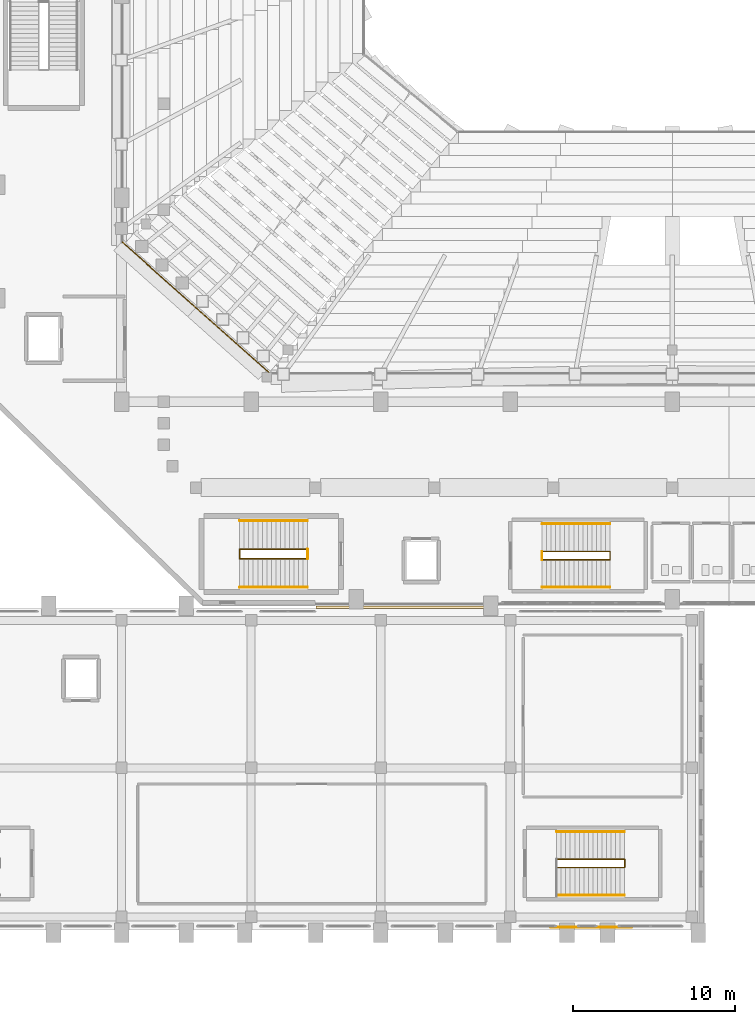
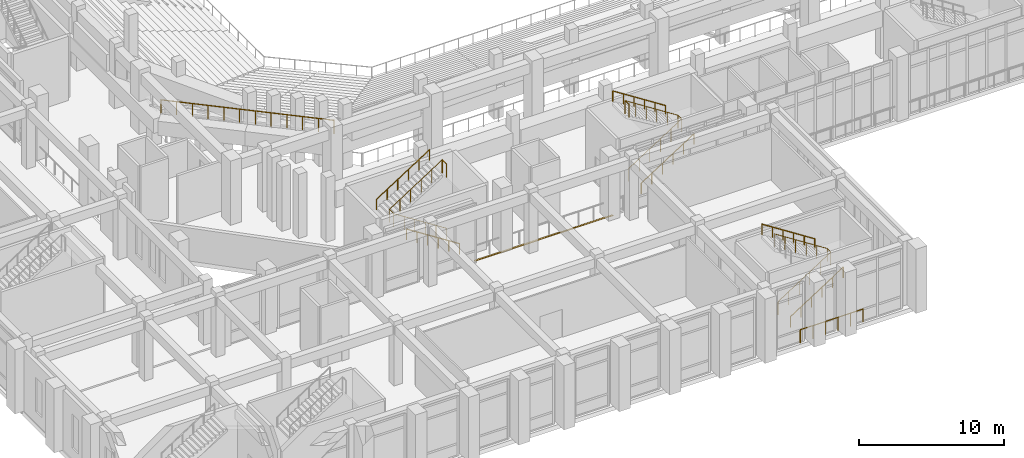
# One storey, part 145 of 159: 13 railings, 1 covering.
"""IFC4 building model written with IfcOpenShell, lengths in metres."""

from ifc_helpers import new_model, si_unit, derived_unit, direction, frame, origin, origin_2d, place, context, subcontext, project, spatial, polyline, circle, outline, extrude, material, layer, layer_set, type_object, element, save


model = new_model("IFC4")

# Units and contexts
model_context = context("Model", 3, precision=1e-05, world=origin(), true_north=direction((0.0, 1.0)))
body_context = subcontext(model_context, "Body", "Model", "MODEL_VIEW")
ifc_project = project(units=[si_unit("LENGTHUNIT", "METRE"), si_unit("AREAUNIT", "SQUARE_METRE"), si_unit("VOLUMEUNIT", "CUBIC_METRE"), si_unit("PLANEANGLEUNIT", "RADIAN"), si_unit("MASSUNIT", "GRAM", prefix="KILO"), derived_unit("THERMALTRANSMITTANCEUNIT", [(si_unit("MASSUNIT", "GRAM", prefix="KILO"), 1), (si_unit("TIMEUNIT", "SECOND"), -3), (si_unit("THERMODYNAMICTEMPERATUREUNIT", "KELVIN"), -1)])], contexts=[model_context])

# Site, building, storey
site_placement = place(None, origin())
site = spatial("IfcSite", under=ifc_project, at=site_placement, CompositionType="ELEMENT")
building_placement = place(site_placement, origin())
building = spatial("IfcBuilding", under=site, at=building_placement, Name="Valcora Ridge Arena", CompositionType="ELEMENT")
storey_placement = place(building_placement, frame((0.0, 0.0, 6.0)))
storey = spatial("IfcBuildingStorey", under=building, at=storey_placement, Name="L01", CompositionType="ELEMENT", Elevation=6.0)

# Covering
ifc_material_1 = material(Name="Steel ASTM A572 Grade 50", Category="steel")
ifc_layer = layer(ifc_material_1, 0.02001953125, Name="Steel ASTM A572 Grade 50")
ifc_layer_set = layer_set([ifc_layer], Name="Steel ASTM A572 Grade 50")
covering_type = type_object("IfcCoveringType", Name="TY-COVERING-COV-SJ-150", PredefinedType="FLOORING", material=ifc_layer_set)
covering_placement = place(storey_placement, frame((0.0, 0.0, -0.02001953125)))
element("IfcCovering", 1, at=covering_placement, inside=storey, type_object=covering_type, Name="COV-SJ-150 COV-SJ-0011", PredefinedType="FLOORING", context=body_context, shape_type="SweptSolid", body=[
    extrude(outline(polyline([(36.0, 19.85009765625), (47.0, 19.85009765625), (47.0, 20.0), (36.0, 20.0), (36.0, 19.85009765625)])), origin(), (0.0, 0.0, 1.0), 0.02001953125),
])

# Railings
ifc_material_2 = material(Name="Galvanized painted steel ASTM A500 Grade B", Category="steel")
railing_type_1 = type_object("IfcRailingType", Name="TY-RAILING-GRD-STAIR-1120", PredefinedType="GUARDRAIL", material=ifc_material_2)
railing_1_placement = place(storey_placement, frame((35.489990234375, 22.89990234375, 0.0)))
element("IfcRailing", 2, at=railing_1_placement, inside=storey, type_object=railing_type_1, Name="GRD-STAIR-1120 RAL-SG-0005", PredefinedType="GUARDRAIL", context=body_context, shape_type="SweptSolid", body=[
    extrude(circle(Radius=0.02392578125, at=origin_2d()), frame((0.0, 0.0, 1.09619140625), z_axis=(-0.841180064094, 0.0, 0.540755119968), x_axis=(0.0, -1.0, 0.0)), (0.0, 0.0, 1.0), 4.992919921875),
    extrude(circle(Radius=0.02392578125, at=origin_2d()), frame((-4.199951171875, 0.0, 3.7958984375), z_axis=(0.0, 1.0, 0.0), x_axis=(-1.0, 0.0, 0.0)), (0.0, 0.0, 1.0), 0.60009765625),
    extrude(circle(Radius=0.02392578125, at=origin_2d()), frame((-4.199951171875, 0.60009765625, 3.7958984375), z_axis=(0.841180064094, 0.0, 0.540755119968), x_axis=(0.0, 1.0, 0.0)), (0.0, 0.0, 1.0), 4.992919921875),
    extrude(circle(Radius=0.02099609375, at=origin_2d()), origin(), (0.0, 0.0, 1.0), 1.072021484375),
    extrude(circle(Radius=0.02099609375, at=origin_2d()), frame((-0.840087890625, 0.0, 0.5400390625)), (0.0, 0.0, 1.0), 1.072021484375),
    extrude(circle(Radius=0.02099609375, at=origin_2d()), frame((-1.679931640625, 0.0, 1.080078125)), (0.0, 0.0, 1.0), 1.072021484375),
    extrude(circle(Radius=0.02099609375, at=origin_2d()), frame((-2.52001953125, 0.0, 1.619873046875)), (0.0, 0.0, 1.0), 1.072021484375),
    extrude(circle(Radius=0.02099609375, at=origin_2d()), frame((-3.35986328125, 0.0, 2.159912109375)), (0.0, 0.0, 1.0), 1.072021484375),
    extrude(circle(Radius=0.02099609375, at=origin_2d()), frame((-4.199951171875, 0.0, 2.699951171875)), (0.0, 0.0, 1.0), 1.072021484375),
    extrude(circle(Radius=0.02099609375, at=origin_2d()), frame((-4.199951171875, 0.60009765625, 2.699951171875)), (0.0, 0.0, 1.0), 1.072021484375),
    extrude(circle(Radius=0.02099609375, at=origin_2d()), frame((-3.35986328125, 0.60009765625, 3.239990234375)), (0.0, 0.0, 1.0), 1.072021484375),
    extrude(circle(Radius=0.02099609375, at=origin_2d()), frame((-2.52001953125, 0.60009765625, 3.780029296875)), (0.0, 0.0, 1.0), 1.072021484375),
    extrude(circle(Radius=0.02099609375, at=origin_2d()), frame((-1.679931640625, 0.60009765625, 4.31982421875)), (0.0, 0.0, 1.0), 1.072021484375),
    extrude(circle(Radius=0.02099609375, at=origin_2d()), frame((-0.840087890625, 0.60009765625, 4.85986328125)), (0.0, 0.0, 1.0), 1.072021484375),
    extrude(circle(Radius=0.02099609375, at=origin_2d()), frame((0.0, 0.60009765625, 5.39990234375)), (0.0, 0.0, 1.0), 1.072021484375),
])
railing_2_placement = place(storey_placement, frame((35.489990234375, 22.89990234375, 5.39990234375)))
element("IfcRailing", 3, at=railing_2_placement, inside=storey, type_object=railing_type_1, Name="GRD-STAIR-1120 RAL-SG-0006", PredefinedType="GUARDRAIL", context=body_context, shape_type="SweptSolid", body=[
    extrude(circle(Radius=0.02392578125, at=origin_2d()), frame((0.0, 0.0, 1.09619140625), z_axis=(0.0, 1.0, 0.0), x_axis=(-1.0, 0.0, 0.0)), (0.0, 0.0, 1.0), 0.60009765625),
    extrude(circle(Radius=0.02099609375, at=origin_2d()), origin(), (0.0, 0.0, 1.0), 1.072021484375),
    extrude(circle(Radius=0.02099609375, at=origin_2d()), frame((0.0, 0.60009765625, 0.0)), (0.0, 0.0, 1.0), 1.072021484375),
])
railing_3_placement = place(storey_placement, frame((49.9599609375, 22.85009765625, 0.0)))
element("IfcRailing", 4, at=railing_3_placement, inside=storey, type_object=railing_type_1, Name="GRD-STAIR-1120 RAL-SG-0099", PredefinedType="GUARDRAIL", context=body_context, shape_type="SweptSolid", body=[
    extrude(circle(Radius=0.02392578125, at=origin_2d()), frame((0.0, 0.0, 1.09619140625), z_axis=(0.841180064094, 0.0, 0.540755119968), x_axis=(0.0, 1.0, 0.0)), (0.0, 0.0, 1.0), 4.992919921875),
    extrude(circle(Radius=0.02392578125, at=origin_2d()), frame((4.199951171875, 0.0, 3.7958984375), z_axis=(0.0, 1.0, 0.0), x_axis=(-1.0, 0.0, 0.0)), (0.0, 0.0, 1.0), 0.5),
    extrude(circle(Radius=0.02392578125, at=origin_2d()), frame((4.199951171875, 0.5, 3.7958984375), z_axis=(-0.841180064094, 0.0, 0.540755119968), x_axis=(0.0, -1.0, 0.0)), (0.0, 0.0, 1.0), 4.992919921875),
    extrude(circle(Radius=0.02099609375, at=origin_2d()), origin(), (0.0, 0.0, 1.0), 1.072021484375),
    extrude(circle(Radius=0.02099609375, at=origin_2d()), frame((0.840087890625, 0.0, 0.5400390625)), (0.0, 0.0, 1.0), 1.072021484375),
    extrude(circle(Radius=0.02099609375, at=origin_2d()), frame((1.679931640625, 0.0, 1.080078125)), (0.0, 0.0, 1.0), 1.072021484375),
    extrude(circle(Radius=0.02099609375, at=origin_2d()), frame((2.52001953125, 0.0, 1.619873046875)), (0.0, 0.0, 1.0), 1.072021484375),
    extrude(circle(Radius=0.02099609375, at=origin_2d()), frame((3.35986328125, 0.0, 2.159912109375)), (0.0, 0.0, 1.0), 1.072021484375),
    extrude(circle(Radius=0.02099609375, at=origin_2d()), frame((4.199951171875, 0.0, 2.699951171875)), (0.0, 0.0, 1.0), 1.072021484375),
    extrude(circle(Radius=0.02099609375, at=origin_2d()), frame((4.199951171875, 0.5, 2.699951171875)), (0.0, 0.0, 1.0), 1.072021484375),
    extrude(circle(Radius=0.02099609375, at=origin_2d()), frame((3.35986328125, 0.5, 3.239990234375)), (0.0, 0.0, 1.0), 1.072021484375),
    extrude(circle(Radius=0.02099609375, at=origin_2d()), frame((2.52001953125, 0.5, 3.780029296875)), (0.0, 0.0, 1.0), 1.072021484375),
    extrude(circle(Radius=0.02099609375, at=origin_2d()), frame((1.679931640625, 0.5, 4.31982421875)), (0.0, 0.0, 1.0), 1.072021484375),
    extrude(circle(Radius=0.02099609375, at=origin_2d()), frame((0.840087890625, 0.5, 4.85986328125)), (0.0, 0.0, 1.0), 1.072021484375),
    extrude(circle(Radius=0.02099609375, at=origin_2d()), frame((0.0, 0.5, 5.39990234375)), (0.0, 0.0, 1.0), 1.072021484375),
])
railing_4_placement = place(storey_placement, frame((49.9599609375, 22.85009765625, 5.39990234375)))
element("IfcRailing", 5, at=railing_4_placement, inside=storey, type_object=railing_type_1, Name="GRD-STAIR-1120 RAL-SG-0100", PredefinedType="GUARDRAIL", context=body_context, shape_type="SweptSolid", body=[
    extrude(circle(Radius=0.02392578125, at=origin_2d()), frame((0.0, 0.0, 1.09619140625), z_axis=(0.0, 1.0, 0.0), x_axis=(-1.0, 0.0, 0.0)), (0.0, 0.0, 1.0), 0.5),
    extrude(circle(Radius=0.02099609375, at=origin_2d()), origin(), (0.0, 0.0, 1.0), 1.072021484375),
    extrude(circle(Radius=0.02099609375, at=origin_2d()), frame((0.0, 0.5, 0.0)), (0.0, 0.0, 1.0), 1.072021484375),
])
railing_5_placement = place(storey_placement, frame((50.860107421875, 3.85009765625, 0.0)))
element("IfcRailing", 6, at=railing_5_placement, inside=storey, type_object=railing_type_1, Name="GRD-STAIR-1120 RAL-SG-0139", PredefinedType="GUARDRAIL", context=body_context, shape_type="SweptSolid", body=[
    extrude(circle(Radius=0.02392578125, at=origin_2d()), frame((0.0, 0.0, 1.09619140625), z_axis=(0.841180064094, 0.0, 0.540755119968), x_axis=(0.0, 1.0, 0.0)), (0.0, 0.0, 1.0), 4.992919921875),
    extrude(circle(Radius=0.02392578125, at=origin_2d()), frame((4.199951171875, 0.0, 3.7958984375), z_axis=(0.0, 1.0, 0.0), x_axis=(-1.0, 0.0, 0.0)), (0.0, 0.0, 1.0), 0.5),
    extrude(circle(Radius=0.02392578125, at=origin_2d()), frame((4.199951171875, 0.5, 3.7958984375), z_axis=(-0.841180064094, 0.0, 0.540755119968), x_axis=(0.0, -1.0, 0.0)), (0.0, 0.0, 1.0), 4.992919921875),
    extrude(circle(Radius=0.02099609375, at=origin_2d()), origin(), (0.0, 0.0, 1.0), 1.072021484375),
    extrude(circle(Radius=0.02099609375, at=origin_2d()), frame((0.840087890625, 0.0, 0.5400390625)), (0.0, 0.0, 1.0), 1.072021484375),
    extrude(circle(Radius=0.02099609375, at=origin_2d()), frame((1.679931640625, 0.0, 1.080078125)), (0.0, 0.0, 1.0), 1.072021484375),
    extrude(circle(Radius=0.02099609375, at=origin_2d()), frame((2.52001953125, 0.0, 1.619873046875)), (0.0, 0.0, 1.0), 1.072021484375),
    extrude(circle(Radius=0.02099609375, at=origin_2d()), frame((3.35986328125, 0.0, 2.159912109375)), (0.0, 0.0, 1.0), 1.072021484375),
    extrude(circle(Radius=0.02099609375, at=origin_2d()), frame((4.199951171875, 0.0, 2.699951171875)), (0.0, 0.0, 1.0), 1.072021484375),
    extrude(circle(Radius=0.02099609375, at=origin_2d()), frame((4.199951171875, 0.5, 2.699951171875)), (0.0, 0.0, 1.0), 1.072021484375),
    extrude(circle(Radius=0.02099609375, at=origin_2d()), frame((3.35986328125, 0.5, 3.239990234375)), (0.0, 0.0, 1.0), 1.072021484375),
    extrude(circle(Radius=0.02099609375, at=origin_2d()), frame((2.52001953125, 0.5, 3.780029296875)), (0.0, 0.0, 1.0), 1.072021484375),
    extrude(circle(Radius=0.02099609375, at=origin_2d()), frame((1.679931640625, 0.5, 4.31982421875)), (0.0, 0.0, 1.0), 1.072021484375),
    extrude(circle(Radius=0.02099609375, at=origin_2d()), frame((0.840087890625, 0.5, 4.85986328125)), (0.0, 0.0, 1.0), 1.072021484375),
    extrude(circle(Radius=0.02099609375, at=origin_2d()), frame((0.0, 0.5, 5.39990234375)), (0.0, 0.0, 1.0), 1.072021484375),
])
railing_type_2 = type_object("IfcRailingType", Name="TY-RAILING-GRD-VOID-1120", PredefinedType="GUARDRAIL", material=ifc_material_2)
railing_6_placement = place(storey_placement, frame((24.050048828125, 42.449951171875, 2.9599609375)))
element("IfcRailing", 7, at=railing_6_placement, inside=storey, type_object=railing_type_2, Name="GRD-VOID-1120 RAL-BW-0016", PredefinedType="GUARDRAIL", context=body_context, shape_type="SweptSolid", body=[
    extrude(circle(Radius=0.02392578125, at=origin_2d()), frame((0.0, 0.0, 1.09619140625), z_axis=(0.746956928935, -0.664872428602, 0.0), x_axis=(0.664872428602, 0.746956928935, 0.0)), (0.0, 0.0, 1.0), 12.1826171875),
    extrude(circle(Radius=0.02099609375, at=origin_2d()), origin(), (0.0, 0.0, 1.0), 1.072021484375),
    extrude(circle(Radius=0.02099609375, at=origin_2d()), frame((0.8271484375, -0.736328125, 0.0)), (0.0, 0.0, 1.0), 1.072021484375),
    extrude(circle(Radius=0.02099609375, at=origin_2d()), frame((1.654541015625, -1.47265625, 0.0)), (0.0, 0.0, 1.0), 1.072021484375),
    extrude(circle(Radius=0.02099609375, at=origin_2d()), frame((2.481689453125, -2.208984375, 0.0)), (0.0, 0.0, 1.0), 1.072021484375),
    extrude(circle(Radius=0.02099609375, at=origin_2d()), frame((3.30908203125, -2.9453125, 0.0)), (0.0, 0.0, 1.0), 1.072021484375),
    extrude(circle(Radius=0.02099609375, at=origin_2d()), frame((4.13623046875, -3.681640625, 0.0)), (0.0, 0.0, 1.0), 1.072021484375),
    extrude(circle(Radius=0.02099609375, at=origin_2d()), frame((4.963623046875, -4.418212890625, 0.0)), (0.0, 0.0, 1.0), 1.072021484375),
    extrude(circle(Radius=0.02099609375, at=origin_2d()), frame((5.790771484375, -5.154541015625, 0.0)), (0.0, 0.0, 1.0), 1.072021484375),
    extrude(circle(Radius=0.02099609375, at=origin_2d()), frame((6.6181640625, -5.890869140625, 0.0)), (0.0, 0.0, 1.0), 1.072021484375),
    extrude(circle(Radius=0.02099609375, at=origin_2d()), frame((7.4453125, -6.627197265625, 0.0)), (0.0, 0.0, 1.0), 1.072021484375),
    extrude(circle(Radius=0.02099609375, at=origin_2d()), frame((8.272705078125, -7.363525390625, 0.0)), (0.0, 0.0, 1.0), 1.072021484375),
    extrude(circle(Radius=0.02099609375, at=origin_2d()), frame((9.099853515625, -8.099853515625, 0.0)), (0.0, 0.0, 1.0), 1.072021484375),
])
railing_7_placement = place(storey_placement, frame((50.5, 0.159912109375, 0.0)))
element("IfcRailing", 8, at=railing_7_placement, inside=storey, type_object=railing_type_2, Name="GRD-VOID-1120 RAL-DK-0019", PredefinedType="GUARDRAIL", context=body_context, shape_type="SweptSolid", body=[
    extrude(circle(Radius=0.02392578125, at=origin_2d()), frame((0.0, 0.0, 1.09619140625), z_axis=(1.0, 0.0, 0.0), x_axis=(0.0, 1.0, 0.0)), (0.0, 0.0, 1.0), 5.0),
    extrude(circle(Radius=0.02099609375, at=origin_2d()), origin(), (0.0, 0.0, 1.0), 1.072021484375),
    extrude(circle(Radius=0.02099609375, at=origin_2d()), frame((1.0, 0.0, 0.0)), (0.0, 0.0, 1.0), 1.072021484375),
    extrude(circle(Radius=0.02099609375, at=origin_2d()), frame((2.0, 0.0, 0.0)), (0.0, 0.0, 1.0), 1.072021484375),
    extrude(circle(Radius=0.02099609375, at=origin_2d()), frame((3.0, 0.0, 0.0)), (0.0, 0.0, 1.0), 1.072021484375),
    extrude(circle(Radius=0.02099609375, at=origin_2d()), frame((4.0, 0.0, 0.0)), (0.0, 0.0, 1.0), 1.072021484375),
    extrude(circle(Radius=0.02099609375, at=origin_2d()), frame((5.0, 0.0, 0.0)), (0.0, 0.0, 1.0), 1.072021484375),
])
railing_type_3 = type_object("IfcRailingType", Name="TY-RAILING-HR-STAIR-900", PredefinedType="HANDRAIL", material=ifc_material_2)
railing_8_placement = place(storey_placement, frame((35.489990234375, 21.139892578125, 0.0)))
element("IfcRailing", 9, at=railing_8_placement, inside=storey, type_object=railing_type_3, Name="HR-STAIR-900 RAL-SH-0005", PredefinedType="HANDRAIL", context=body_context, shape_type="SweptSolid", body=[
    extrude(circle(Radius=0.02392578125, at=origin_2d()), frame((0.0, 0.0, 0.8759765625), z_axis=(-0.841180064094, 0.0, 0.540755119968), x_axis=(0.0, -1.0, 0.0)), (0.0, 0.0, 1.0), 4.992919921875),
    extrude(circle(Radius=0.02099609375, at=origin_2d()), origin(), (0.0, 0.0, 1.0), 0.851806640625),
    extrude(circle(Radius=0.02099609375, at=origin_2d()), frame((-0.840087890625, 0.0, 0.5400390625)), (0.0, 0.0, 1.0), 0.851806640625),
    extrude(circle(Radius=0.02099609375, at=origin_2d()), frame((-1.679931640625, 0.0, 1.080078125)), (0.0, 0.0, 1.0), 0.851806640625),
    extrude(circle(Radius=0.02099609375, at=origin_2d()), frame((-2.52001953125, 0.0, 1.619873046875)), (0.0, 0.0, 1.0), 0.851806640625),
    extrude(circle(Radius=0.02099609375, at=origin_2d()), frame((-3.35986328125, 0.0, 2.159912109375)), (0.0, 0.0, 1.0), 0.851806640625),
    extrude(circle(Radius=0.02099609375, at=origin_2d()), frame((-4.199951171875, 0.0, 2.699951171875)), (0.0, 0.0, 1.0), 0.851806640625),
])
for number, where, name in (
    (10, (31.2900390625, 25.260009765625, 2.699951171875), "HR-STAIR-900 RAL-SH-0006"),
    (11, (49.9599609375, 21.139892578125, 0.0), "HR-STAIR-900 RAL-SH-0099"),
):
    element("IfcRailing", number, at=place(storey_placement, frame(where)), inside=storey, type_object=railing_type_3, Name=name, PredefinedType="HANDRAIL", context=body_context, shape_type="SweptSolid", body=[
        extrude(circle(Radius=0.02392578125, at=origin_2d()), frame((0.0, 0.0, 0.8759765625), z_axis=(0.841180064094, 0.0, 0.540755119968), x_axis=(0.0, 1.0, 0.0)), (0.0, 0.0, 1.0), 4.992919921875),
        extrude(circle(Radius=0.02099609375, at=origin_2d()), origin(), (0.0, 0.0, 1.0), 0.851806640625),
        extrude(circle(Radius=0.02099609375, at=origin_2d()), frame((0.840087890625, 0.0, 0.5400390625)), (0.0, 0.0, 1.0), 0.851806640625),
        extrude(circle(Radius=0.02099609375, at=origin_2d()), frame((1.679931640625, 0.0, 1.080078125)), (0.0, 0.0, 1.0), 0.851806640625),
        extrude(circle(Radius=0.02099609375, at=origin_2d()), frame((2.52001953125, 0.0, 1.619873046875)), (0.0, 0.0, 1.0), 0.851806640625),
        extrude(circle(Radius=0.02099609375, at=origin_2d()), frame((3.35986328125, 0.0, 2.159912109375)), (0.0, 0.0, 1.0), 0.851806640625),
        extrude(circle(Radius=0.02099609375, at=origin_2d()), frame((4.199951171875, 0.0, 2.699951171875)), (0.0, 0.0, 1.0), 0.851806640625),
    ])
railing_9_placement = place(storey_placement, frame((54.159912109375, 25.06005859375, 2.699951171875)))
element("IfcRailing", 12, at=railing_9_placement, inside=storey, type_object=railing_type_3, Name="HR-STAIR-900 RAL-SH-0100", PredefinedType="HANDRAIL", context=body_context, shape_type="SweptSolid", body=[
    extrude(circle(Radius=0.02392578125, at=origin_2d()), frame((0.0, 0.0, 0.8759765625), z_axis=(-0.841180064094, 0.0, 0.540755119968), x_axis=(0.0, -1.0, 0.0)), (0.0, 0.0, 1.0), 4.992919921875),
    extrude(circle(Radius=0.02099609375, at=origin_2d()), origin(), (0.0, 0.0, 1.0), 0.851806640625),
    extrude(circle(Radius=0.02099609375, at=origin_2d()), frame((-0.840087890625, 0.0, 0.5400390625)), (0.0, 0.0, 1.0), 0.851806640625),
    extrude(circle(Radius=0.02099609375, at=origin_2d()), frame((-1.679931640625, 0.0, 1.080078125)), (0.0, 0.0, 1.0), 0.851806640625),
    extrude(circle(Radius=0.02099609375, at=origin_2d()), frame((-2.52001953125, 0.0, 1.619873046875)), (0.0, 0.0, 1.0), 0.851806640625),
    extrude(circle(Radius=0.02099609375, at=origin_2d()), frame((-3.35986328125, 0.0, 2.159912109375)), (0.0, 0.0, 1.0), 0.851806640625),
    extrude(circle(Radius=0.02099609375, at=origin_2d()), frame((-4.199951171875, 0.0, 2.699951171875)), (0.0, 0.0, 1.0), 0.851806640625),
])
railing_10_placement = place(storey_placement, frame((50.860107421875, 2.139892578125, 0.0)))
element("IfcRailing", 13, at=railing_10_placement, inside=storey, type_object=railing_type_3, Name="HR-STAIR-900 RAL-SH-0139", PredefinedType="HANDRAIL", context=body_context, shape_type="SweptSolid", body=[
    extrude(circle(Radius=0.02392578125, at=origin_2d()), frame((0.0, 0.0, 0.8759765625), z_axis=(0.841180064094, 0.0, 0.540755119968), x_axis=(0.0, 1.0, 0.0)), (0.0, 0.0, 1.0), 4.992919921875),
    extrude(circle(Radius=0.02099609375, at=origin_2d()), origin(), (0.0, 0.0, 1.0), 0.851806640625),
    extrude(circle(Radius=0.02099609375, at=origin_2d()), frame((0.840087890625, 0.0, 0.5400390625)), (0.0, 0.0, 1.0), 0.851806640625),
    extrude(circle(Radius=0.02099609375, at=origin_2d()), frame((1.679931640625, 0.0, 1.080078125)), (0.0, 0.0, 1.0), 0.851806640625),
    extrude(circle(Radius=0.02099609375, at=origin_2d()), frame((2.52001953125, 0.0, 1.619873046875)), (0.0, 0.0, 1.0), 0.851806640625),
    extrude(circle(Radius=0.02099609375, at=origin_2d()), frame((3.35986328125, 0.0, 2.159912109375)), (0.0, 0.0, 1.0), 0.851806640625),
    extrude(circle(Radius=0.02099609375, at=origin_2d()), frame((4.199951171875, 0.0, 2.699951171875)), (0.0, 0.0, 1.0), 0.851806640625),
])
railing_11_placement = place(storey_placement, frame((55.06005859375, 6.06005859375, 2.699951171875)))
element("IfcRailing", 14, at=railing_11_placement, inside=storey, type_object=railing_type_3, Name="HR-STAIR-900 RAL-SH-0140", PredefinedType="HANDRAIL", context=body_context, shape_type="SweptSolid", body=[
    extrude(circle(Radius=0.02392578125, at=origin_2d()), frame((0.0, 0.0, 0.8759765625), z_axis=(-0.841180064094, 0.0, 0.540755119968), x_axis=(0.0, -1.0, 0.0)), (0.0, 0.0, 1.0), 4.992919921875),
    extrude(circle(Radius=0.02099609375, at=origin_2d()), origin(), (0.0, 0.0, 1.0), 0.851806640625),
    extrude(circle(Radius=0.02099609375, at=origin_2d()), frame((-0.840087890625, 0.0, 0.5400390625)), (0.0, 0.0, 1.0), 0.851806640625),
    extrude(circle(Radius=0.02099609375, at=origin_2d()), frame((-1.679931640625, 0.0, 1.080078125)), (0.0, 0.0, 1.0), 0.851806640625),
    extrude(circle(Radius=0.02099609375, at=origin_2d()), frame((-2.52001953125, 0.0, 1.619873046875)), (0.0, 0.0, 1.0), 0.851806640625),
    extrude(circle(Radius=0.02099609375, at=origin_2d()), frame((-3.35986328125, 0.0, 2.159912109375)), (0.0, 0.0, 1.0), 0.851806640625),
    extrude(circle(Radius=0.02099609375, at=origin_2d()), frame((-4.199951171875, 0.0, 2.699951171875)), (0.0, 0.0, 1.0), 0.851806640625),
])

save(model, "model.ifc")
